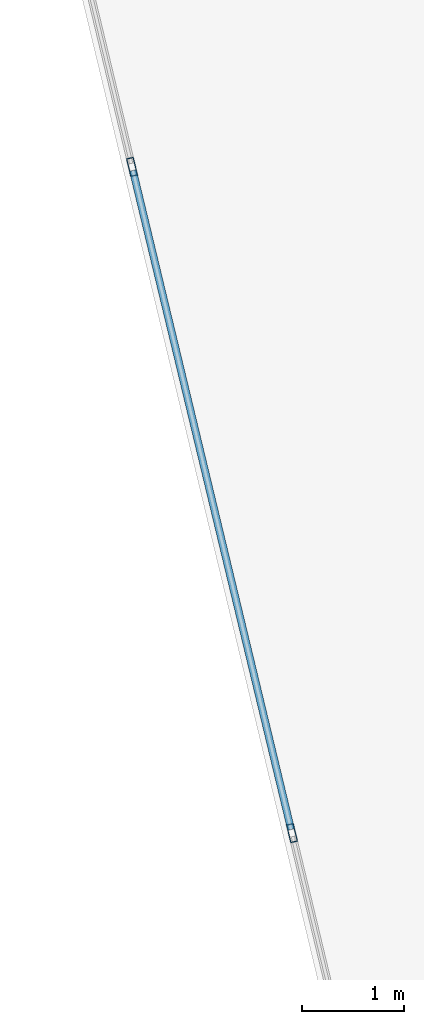
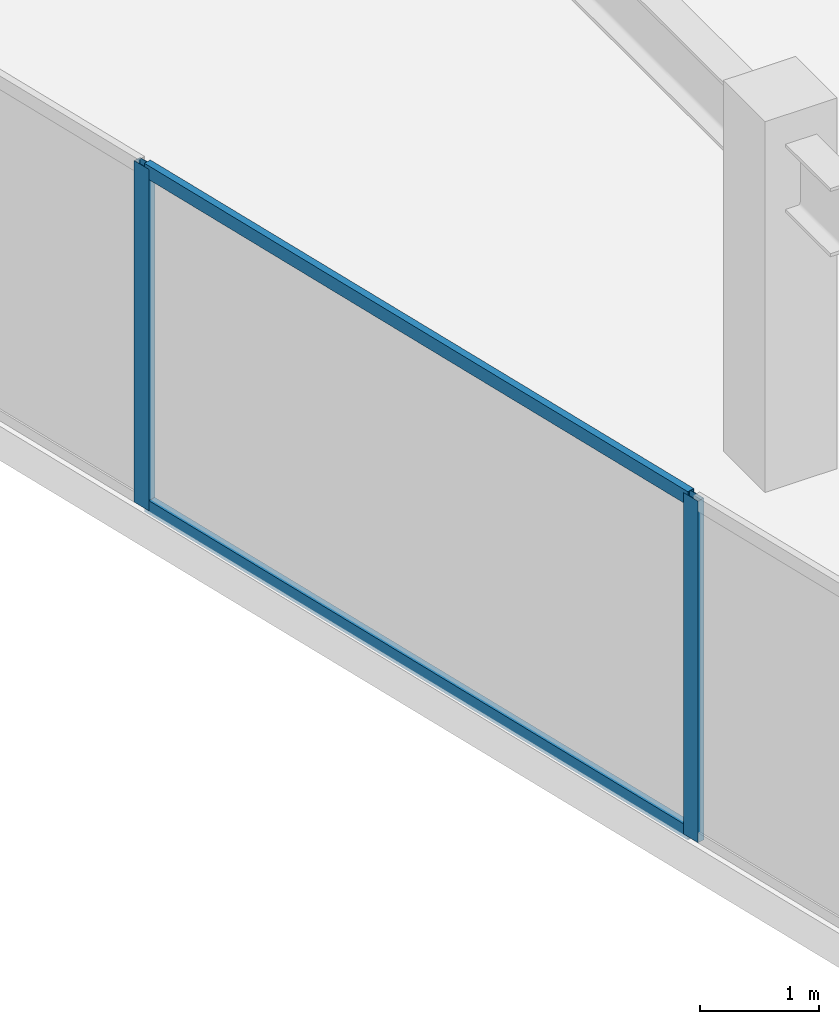
# One storey, part 5 of 19: 4 members, 1 element without a shape of its own.
"""IFC4 building model written with IfcOpenShell, lengths in metres."""

import ifcopenshell
import ifcopenshell.guid

model = None  # the IFC model being written
_history = None  # IfcOwnerHistory: only IFC2X3 demands one
_inside = {}  # id of a spatial element -> (the spatial element, [elements in it])
_under = {}  # id of a project, library or spatial element -> (it, [spatial elements below it])
_declared = {}  # id of a project -> (the project, [libraries it declares])
_typed = {}  # id of a type object -> (the type object, [elements of that type])
_made_of = {}  # id of a material, layer set ... -> (it, [elements and type objects made of it])


def new_model(schema):
    """Start an empty IFC model of exactly this schema.

    Asked for "IFC4X3", IfcOpenShell would pick the latest addendum, in which some entities
    have other attributes; the version numbers below select the first issue.
    IFC2X3 requires an IfcOwnerHistory on every rooted entity: one is made here for all.
    """
    global model, _history
    if schema == "IFC4X3":
        model = ifcopenshell.file(schema_version=(4, 3, 0, 0))
    else:
        model = ifcopenshell.file(schema=schema)
    _inside.clear()
    _under.clear()
    _declared.clear()
    _typed.clear()
    _made_of.clear()
    _history = None
    if model.schema == "IFC2X3":
        org = make("IfcOrganization", Name="unknown")
        user = make(
            "IfcPersonAndOrganization",
            ThePerson=make("IfcPerson", FamilyName="unknown"),
            TheOrganization=org,
        )
        app = make(
            "IfcApplication",
            ApplicationDeveloper=org,
            Version="unknown",
            ApplicationFullName="unknown",
            ApplicationIdentifier="unknown",
        )
        _history = make(
            "IfcOwnerHistory",
            OwningUser=user,
            OwningApplication=app,
            ChangeAction="ADDED",
            CreationDate=0,
        )
    return model


def make(cls, **values):
    """One entity of the class cls with the attributes given. An attribute that is None is left unset."""
    return model.create_entity(
        cls, **{name: value for name, value in values.items() if value is not None}
    )


def rooted(cls, **values):
    """An entity with a GlobalId (a new one), such as an element, a storey or a relation."""
    return make(cls, GlobalId=ifcopenshell.guid.new(), OwnerHistory=_history, **values)


def si_unit(unit_type, name, prefix=None):
    """IfcSIUnit, for example si_unit("LENGTHUNIT", "METRE", prefix="MILLI")."""
    return make("IfcSIUnit", UnitType=unit_type, Prefix=prefix, Name=name)


def assignment(units):
    """IfcUnitAssignment: the units of a project."""
    return None if units is None else make("IfcUnitAssignment", Units=units)


def point(xyz):
    """IfcCartesianPoint."""
    return None if xyz is None else make("IfcCartesianPoint", Coordinates=xyz)


def direction(xyz):
    """IfcDirection."""
    return None if xyz is None else make("IfcDirection", DirectionRatios=xyz)


def frame(location, z_axis=None, x_axis=None):
    """IfcAxis2Placement3D, a coordinate frame: its origin and axes. An axis left out is left unset."""
    return make(
        "IfcAxis2Placement3D",
        Location=point(location),
        Axis=direction(z_axis),
        RefDirection=direction(x_axis),
    )


def frame_2d(location, x_axis=None):
    """IfcAxis2Placement2D, a coordinate frame in the plane: its origin and x axis."""
    return make(
        "IfcAxis2Placement2D", Location=point(location), RefDirection=direction(x_axis)
    )


def origin():
    """The frame at (0, 0, 0) with its axes left unset."""
    return frame((0.0, 0.0, 0.0))


def origin_2d():
    """The frame at (0, 0) in the plane with its x axis left unset."""
    return frame_2d((0.0, 0.0))


def place(relative_to, where):
    """IfcLocalPlacement: puts the frame where relative to a parent placement (None: the world)."""
    return make(
        "IfcLocalPlacement", PlacementRelTo=relative_to, RelativePlacement=where
    )


def context(
    kind, dimensions, precision=None, world=None, true_north=None, identifier=None
):
    """IfcGeometricRepresentationContext, for example the 3D "Model" context."""
    return make(
        "IfcGeometricRepresentationContext",
        ContextIdentifier=identifier,
        ContextType=kind,
        CoordinateSpaceDimension=dimensions,
        Precision=precision,
        WorldCoordinateSystem=world,
        TrueNorth=true_north,
    )


def subcontext(parent, identifier, kind, view, scale=None):
    """IfcGeometricRepresentationSubContext, for example "Body" below "Model"."""
    return make(
        "IfcGeometricRepresentationSubContext",
        ContextIdentifier=identifier,
        ContextType=kind,
        ParentContext=parent,
        TargetScale=scale,
        TargetView=view,
    )


def project(units=None, contexts=None):
    """IfcProject with its units and contexts."""
    return rooted(
        "IfcProject",
        Name="project",
        RepresentationContexts=contexts,
        UnitsInContext=assignment(units),
    )


def spatial(cls, under=None, at=None, **own):
    """A site, building, storey or space (cls), placed at a placement, below another one or the project."""
    s = rooted(cls, ObjectPlacement=at, **own)
    if under is not None:
        _under.setdefault(under.id(), (under, []))[1].append(s)
    return s


def profile(cls, at=None, kind="AREA", **sizes):
    """A parametric profile (cls). Its sizes go by their IFC names, for example OverallWidth=200.0."""
    return make(cls, ProfileType=kind, Position=at, **sizes)


def hollow_rectangle(**sizes):
    """IfcRectangleHollowProfileDef."""
    return profile("IfcRectangleHollowProfileDef", **sizes)


def extrude(swept, where, along, depth):
    """IfcExtrudedAreaSolid: the profile swept, set in the frame where, extruded along a direction by depth."""
    return make(
        "IfcExtrudedAreaSolid",
        SweptArea=swept,
        Position=where,
        ExtrudedDirection=direction(along),
        Depth=depth,
    )


def shape(context_of_items, identifier, shape_type, items):
    """IfcShapeRepresentation: the items that make up one representation, for example the "Body"."""
    return make(
        "IfcShapeRepresentation",
        ContextOfItems=context_of_items,
        RepresentationIdentifier=identifier,
        RepresentationType=shape_type,
        Items=items,
    )


def source(mapping_origin, context_of_items, identifier, shape_type, items):
    """IfcRepresentationMap: a shape defined once, which mapped items show again and again."""
    return make(
        "IfcRepresentationMap",
        MappingOrigin=mapping_origin,
        MappedRepresentation=shape(context_of_items, identifier, shape_type, items),
    )


def transform(
    local_origin,
    x_axis=None,
    y_axis=None,
    z_axis=None,
    scale=None,
    scale2=None,
    scale3=None,
    uniform=True,
):
    """IfcCartesianTransformationOperator3D, or its non-uniform kind. x_axis, y_axis, z_axis: its Axis1, 2, 3."""
    if uniform:
        return make(
            "IfcCartesianTransformationOperator3D",
            Axis1=direction(x_axis),
            Axis2=direction(y_axis),
            LocalOrigin=point(local_origin),
            Scale=scale,
            Axis3=direction(z_axis),
        )
    return make(
        "IfcCartesianTransformationOperator3DnonUniform",
        Axis1=direction(x_axis),
        Axis2=direction(y_axis),
        LocalOrigin=point(local_origin),
        Scale=scale,
        Axis3=direction(z_axis),
        Scale2=scale2,
        Scale3=scale3,
    )


def mapped(mapping_source, mapping_target):
    """IfcMappedItem: shows the shape of a source again, moved by a transform."""
    return make(
        "IfcMappedItem", MappingSource=mapping_source, MappingTarget=mapping_target
    )


def material(Name=None, Category=None):
    """IfcMaterial."""
    return make("IfcMaterial", Name=Name, Category=Category)


def material_profile(
    of_material, cross_section, Name=None, Category=None, Priority=None
):
    """IfcMaterialProfile: a cross section and its material."""
    return make(
        "IfcMaterialProfile",
        Name=Name,
        Material=of_material,
        Profile=cross_section,
        Priority=Priority,
        Category=Category,
    )


def profile_set(profiles, Name=None, composite=None):
    """IfcMaterialProfileSet."""
    return make(
        "IfcMaterialProfileSet",
        Name=Name,
        MaterialProfiles=profiles,
        CompositeProfile=composite,
    )


def made_of(thing, what):
    """Note that an element or type object is made of a material, layer set ...; save() writes the relation."""
    if what is not None:
        _made_of.setdefault(what.id(), (what, []))[1].append(thing)
    return thing


def type_object(cls, material=None, **own):
    """A type object (cls), such as IfcWallType, which elements share."""
    return made_of(rooted(cls, **own), material)


def type_shapes(of_type, sources):
    """Give a type object the sources (RepresentationMaps) that its elements show as mapped items."""
    of_type.RepresentationMaps = sources


def element(
    cls,
    number,
    at=None,
    inside=None,
    cuts=None,
    type_object=None,
    material=None,
    context=None,
    identifier="Body",
    shape_type=None,
    held_by="IfcProductDefinitionShape",
    body=None,
    shapes=None,
    **own,
):
    """One element of the class cls, such as IfcWall. Its Tag is "e" and its number.

    at: its placement. inside: the storey or other place that contains it. cuts: it is an
    opening in that element (IfcRelVoidsElement). A single representation is given by context,
    identifier, shape_type and body (its items); several are given by shapes. held_by: the class
    of the entity that holds the representations. save() writes the other relations.
    """
    e = rooted(cls, Tag="e%d" % number, ObjectPlacement=at, **own)
    if body is not None:
        shapes = [shape(context, identifier, shape_type, body)]
    if shapes is not None:
        e.Representation = make(held_by, Representations=shapes)
    if inside is not None:
        _inside.setdefault(inside.id(), (inside, []))[1].append(e)
    if cuts is not None:
        rooted(
            "IfcRelVoidsElement", RelatingBuildingElement=cuts, RelatedOpeningElement=e
        )
    if type_object is not None:
        _typed.setdefault(type_object.id(), (type_object, []))[1].append(e)
    return made_of(e, material)


def aggregate(whole, parts):
    """IfcRelAggregates: a whole, such as a stair, and the parts it consists of."""
    return rooted("IfcRelAggregates", RelatingObject=whole, RelatedObjects=parts)


def save(model, path):
    """Write the relations noted so far, then the file.

    IfcRelAggregates (storeys below a building ...), IfcRelContainedInSpatialStructure (elements
    in a storey), IfcRelDefinesByType, IfcRelAssociatesMaterial and IfcRelDeclares: one each for
    every whole, place, type object, material and project.
    """
    for whole, parts in _under.values():
        aggregate(whole, parts)
    for where, things in _inside.values():
        rooted(
            "IfcRelContainedInSpatialStructure",
            RelatedElements=things,
            RelatingStructure=where,
        )
    for kind, things in _typed.values():
        rooted("IfcRelDefinesByType", RelatedObjects=things, RelatingType=kind)
    for what, things in _made_of.values():
        rooted("IfcRelAssociatesMaterial", RelatedObjects=things, RelatingMaterial=what)
    for by, libraries in _declared.values():
        rooted("IfcRelDeclares", RelatingContext=by, RelatedDefinitions=libraries)
    model.write(path)


model = new_model("IFC4")

# Units and contexts
model_context = context("Model", 3, precision=1e-05, world=origin(), true_north=direction((0.0, 1.0)))
body_context = subcontext(model_context, "Body", "Model", "MODEL_VIEW")
ifc_project = project(units=[si_unit("LENGTHUNIT", "METRE"), si_unit("AREAUNIT", "SQUARE_METRE"), si_unit("VOLUMEUNIT", "CUBIC_METRE"), si_unit("PLANEANGLEUNIT", "RADIAN"), si_unit("MASSUNIT", "GRAM", prefix="KILO")], contexts=[model_context])

# Site, building, storey
site_placement = place(None, origin())
site = spatial("IfcSite", under=ifc_project, at=site_placement, CompositionType="ELEMENT")
building_placement = place(site_placement, origin())
building = spatial("IfcBuilding", under=site, at=building_placement, Name="Krantzveldt Concourse Tower", CompositionType="ELEMENT")
storey_placement = place(building_placement, frame((0.0, 0.0, 363.25)))
storey = spatial("IfcBuildingStorey", under=building, at=storey_placement, Name="L89", CompositionType="ELEMENT", Elevation=363.25)

# Curtain wall, members
ifc_material = material(Name="Anodised aluminium 6063-T6", Category="aluminium")
curtain_wall_type = type_object("IfcCurtainWallType", Name="CW7", PredefinedType="USERDEFINED", material=ifc_material)
curtain_wall_placement = place(storey_placement, origin())
curtain_wall = element("IfcCurtainWall", 1, at=curtain_wall_placement, inside=storey, type_object=curtain_wall_type, Name="CW-L89-BASE-04", ObjectType="UNITISED CURTAIN WALL", PredefinedType="USERDEFINED")
ifc_material_profile_1 = material_profile(ifc_material, hollow_rectangle(XDim=0.070068359375, YDim=0.139892578125, WallThickness=0.0048828125, at=origin_2d()), Name="Anodised aluminium 6063-T6", Category="aluminium")
ifc_profile_set_1 = profile_set([ifc_material_profile_1], Name="Anodised aluminium 6063-T6 - ALU-TRAN 140x70x5")
member_type_1 = type_object("IfcMemberType", Name="CW-TRN-150", PredefinedType="USERDEFINED", material=ifc_profile_set_1)
shared_shape_1 = source(origin(), body_context, "Body", "SweptSolid", [
    extrude(hollow_rectangle(XDim=0.070068359375, YDim=0.139892578125, WallThickness=0.0048828125, at=origin_2d()), origin(), (0.0, 0.0, 1.0), 6.6298828125),
])
type_shapes(member_type_1, [shared_shape_1])
member_1_placement = place(storey_placement, frame((16.056640625, 28.766357421875, 0.034912109375), z_axis=(0.233427268888, -0.972374264437, 0.0), x_axis=(0.972374264437, 0.233427268888, 0.0)))
member_1 = element("IfcMember", 2, at=member_1_placement, type_object=member_type_1, Name="CW-CRN transom 2.1", ObjectType="TRANSOM", PredefinedType="USERDEFINED", context=body_context, shape_type="MappedRepresentation", body=[
    mapped(shared_shape_1, transform((0.0, 0.0, 0.0), x_axis=(1.0, 0.0, 0.0), y_axis=(0.0, 1.0, 0.0), z_axis=(0.0, 0.0, 1.0), scale=1.0)),
])
member_2_placement = place(storey_placement, frame((16.056640625, 28.766357421875, 3.465087890625), z_axis=(0.233427268888, -0.972374264437, 0.0), x_axis=(0.972374264437, 0.233427268888, 0.0)))
member_2 = element("IfcMember", 3, at=member_2_placement, type_object=member_type_1, Name="CW-CRN transom 2.2", ObjectType="TRANSOM", PredefinedType="USERDEFINED", context=body_context, shape_type="MappedRepresentation", body=[
    mapped(shared_shape_1, transform((0.0, 0.0, 0.0), x_axis=(1.0, 0.0, 0.0), y_axis=(0.0, 1.0, 0.0), z_axis=(0.0, 0.0, 1.0), scale=1.0)),
])
ifc_material_profile_2 = material_profile(ifc_material, hollow_rectangle(XDim=0.070068359375, YDim=0.179931640625, WallThickness=0.0048828125, at=origin_2d()), Name="Anodised aluminium 6063-T6", Category="aluminium")
ifc_profile_set_2 = profile_set([ifc_material_profile_2], Name="Anodised aluminium 6063-T6 - ALU-MULL 180x70x5")
member_type_2 = type_object("IfcMemberType", Name="CW-MUL-180", PredefinedType="MULLION", material=ifc_profile_set_2)
shared_shape_2 = source(origin(), body_context, "Body", "SweptSolid", [
    extrude(hollow_rectangle(XDim=0.070068359375, YDim=0.179931640625, WallThickness=0.0048828125, at=origin_2d()), origin(), (0.0, 0.0, 1.0), 3.5),
])
type_shapes(member_type_2, [shared_shape_2])
member_3_placement = place(storey_placement, frame((16.04833984375, 28.800537109375, 0.0), z_axis=(0.0, 0.0, 1.0), x_axis=(0.972369896884, 0.233445461796, 0.0)))
member_3 = element("IfcMember", 4, at=member_3_placement, type_object=member_type_2, Name="CW-CRN mullion 2", PredefinedType="MULLION", context=body_context, shape_type="MappedRepresentation", body=[
    mapped(shared_shape_2, transform((0.0, 0.0, 0.0), x_axis=(1.0, 0.0, 0.0), y_axis=(0.0, 1.0, 0.0), z_axis=(0.0, 0.0, 1.0), scale=1.0)),
])
member_4_placement = place(storey_placement, frame((17.612548828125, 22.28564453125, 0.0), z_axis=(0.0, 0.0, 1.0), x_axis=(0.972369896884, 0.233445461796, 0.0)))
member_4 = element("IfcMember", 5, at=member_4_placement, type_object=member_type_2, Name="CW-CRN mullion 3", PredefinedType="MULLION", context=body_context, shape_type="MappedRepresentation", body=[
    mapped(shared_shape_2, transform((0.0, 0.0, 0.0), x_axis=(1.0, 0.0, 0.0), y_axis=(0.0, 1.0, 0.0), z_axis=(0.0, 0.0, 1.0), scale=1.0)),
])
aggregate(curtain_wall, [member_3, member_4, member_1, member_2])

save(model, "model.ifc")
